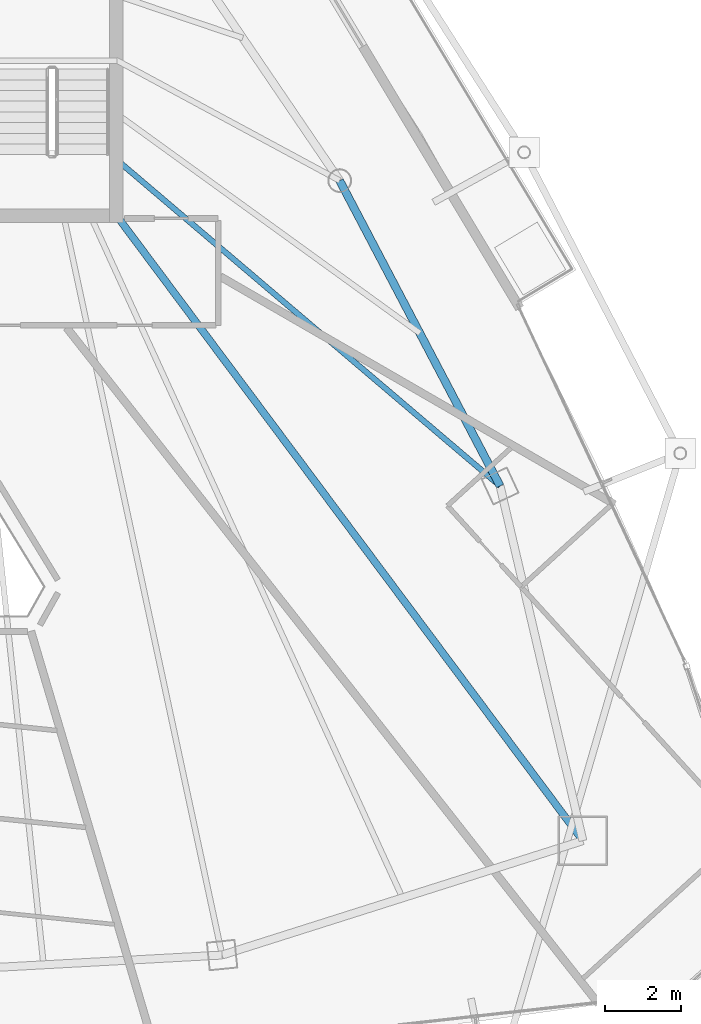
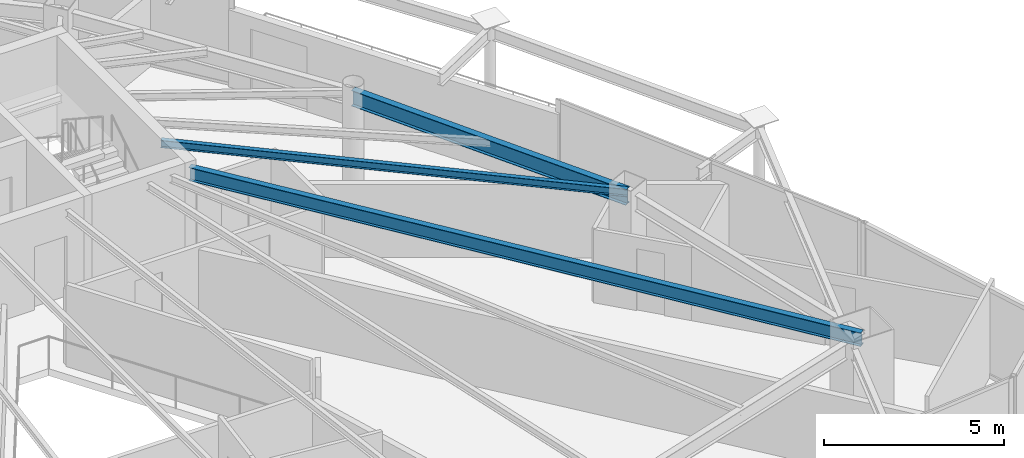
# One storey, part 19 of 34: 3 beams.
"""IFC4 building model written with IfcOpenShell, lengths in metres."""

from ifc_helpers import new_model, si_unit, direction, frame, origin, origin_2d, place, context, subcontext, project, spatial, i_section, extrude, material, material_profile, profile_set, type_object, element, save


model = new_model("IFC4")

# Units and contexts
model_context = context("Model", 3, precision=1e-05, world=origin(), true_north=direction((0.0, 1.0)))
body_context = subcontext(model_context, "Body", "Model", "MODEL_VIEW")
ifc_project = project(units=[si_unit("LENGTHUNIT", "METRE"), si_unit("AREAUNIT", "SQUARE_METRE"), si_unit("VOLUMEUNIT", "CUBIC_METRE"), si_unit("PLANEANGLEUNIT", "RADIAN"), si_unit("MASSUNIT", "GRAM", prefix="KILO")], contexts=[model_context])

# Site, building, storey
site_placement = place(None, origin())
site = spatial("IfcSite", under=ifc_project, at=site_placement, CompositionType="ELEMENT")
building_placement = place(site_placement, origin())
building = spatial("IfcBuilding", under=site, at=building_placement, Name="Orvanel Arch Residences", CompositionType="ELEMENT")
storey_placement = place(building_placement, frame((0.0, 0.0, 203.0)))
storey = spatial("IfcBuildingStorey", under=building, at=storey_placement, Name="L57", CompositionType="ELEMENT", Elevation=203.0)

# Beams
ifc_material = material(Name="Structural steel AS/NZS 3679.1 Grade 300 (300 MPa)", Category="steel")
ifc_material_profile_1 = material_profile(ifc_material, i_section(OverallWidth=0.19091796875, OverallDepth=0.4599609375, WebThickness=0.010009765625, FlangeThickness=0.01611328125, at=origin_2d()), Name="460UB82.1")
ifc_profile_set_1 = profile_set([ifc_material_profile_1], Name="Structural steel AS/NZS 3679.1 Grade 300 (300 MPa)")
beam_type_1 = type_object("IfcBeamType", Name="BG-460UB", PredefinedType="BEAM", material=ifc_profile_set_1)
beam_1_placement = place(storey_placement, frame((39.625, 26.675048828125, 2.830078125), z_axis=(0.597893733742, -0.801575375839, 0.0), x_axis=(0.801575375839, 0.597893733742, 0.0)))
element("IfcBeam", 1, at=beam_1_placement, inside=storey, type_object=beam_type_1, Name="L57 South-East Radial Girder", PredefinedType="BEAM", context=body_context, shape_type="SweptSolid", body=[
    extrude(i_section(OverallWidth=0.19091796875, OverallDepth=0.4599609375, WebThickness=0.010009765625, FlangeThickness=0.01611328125, at=origin_2d()), origin(), (0.0, 0.0, 1.0), 20.36474609375),
])
ifc_material_profile_2 = material_profile(ifc_material, i_section(OverallWidth=0.14599609375, OverallDepth=0.251953125, WebThickness=0.006103515625, FlangeThickness=0.008544921875, at=origin_2d()), Name="250UB31.4")
ifc_profile_set_2 = profile_set([ifc_material_profile_2], Name="Structural steel AS/NZS 3679.1 Grade 300 (300 MPa)")
beam_type_2 = type_object("IfcBeamType", Name="BJ-250UB", PredefinedType="JOIST", material=ifc_profile_set_2)
beam_2_placement = place(storey_placement, frame((39.574951171875, 28.199951171875, 2.93408203125), z_axis=(0.761622669031, -0.64802076357, 0.0), x_axis=(0.64802076357, 0.761622669031, 0.0)))
element("IfcBeam", 2, at=beam_2_placement, inside=storey, type_object=beam_type_2, Name="L57 E Wing Floor Joist", PredefinedType="JOIST", context=body_context, shape_type="SweptSolid", body=[
    extrude(i_section(OverallWidth=0.14599609375, OverallDepth=0.251953125, WebThickness=0.006103515625, FlangeThickness=0.008544921875, at=origin_2d()), origin(), (0.0, 0.0, 1.0), 13.2060546875),
])
ifc_material_profile_3 = material_profile(ifc_material, i_section(OverallWidth=0.208984375, OverallDepth=0.532958984375, WebThickness=0.01025390625, FlangeThickness=0.015625, at=origin_2d()), Name="530UB92.4")
ifc_profile_set_3 = profile_set([ifc_material_profile_3], Name="Structural steel AS/NZS 3679.1 Grade 300 (300 MPa)")
beam_type_3 = type_object("IfcBeamType", Name="SP-530UB", PredefinedType="SPANDREL", material=ifc_profile_set_3)
beam_3_placement = place(storey_placement, frame((49.633056640625, 19.64208984375, 2.79296875), z_axis=(-0.465064762793, 0.885276660942, 0.0), x_axis=(-0.885276660942, -0.465064762793, 0.0)))
element("IfcBeam", 3, at=beam_3_placement, inside=storey, type_object=beam_type_3, Name="L57 Perimeter Spandrel Beam 07", PredefinedType="SPANDREL", context=body_context, shape_type="SweptSolid", body=[
    extrude(i_section(OverallWidth=0.208984375, OverallDepth=0.532958984375, WebThickness=0.01025390625, FlangeThickness=0.015625, at=origin_2d()), origin(), (0.0, 0.0, 1.0), 9.03564453125),
])

save(model, "model.ifc")
